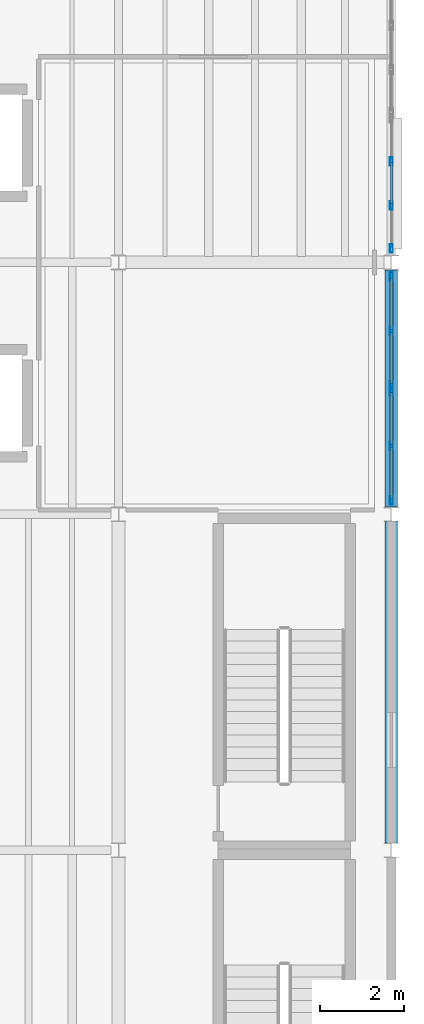
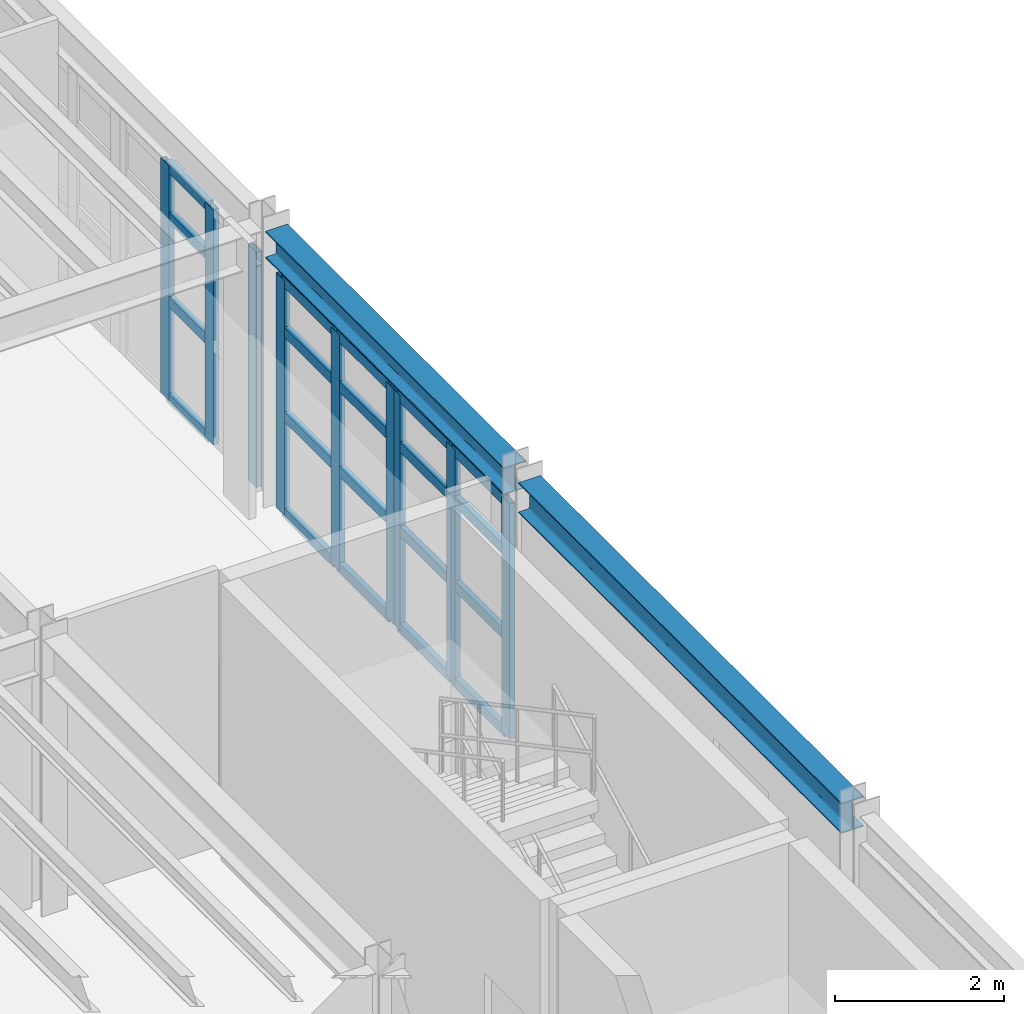
# One storey, part 36 of 77: 29 members, 2 beams, 3 elements without a shape of their own.
"""IFC4 building model written with IfcOpenShell, lengths in metres."""

from ifc_helpers import new_model, si_unit, direction, frame, origin, origin_2d, place, context, subcontext, project, spatial, hollow_rectangle, i_section, extrude, material, material_profile, profile_set, type_object, element, aggregate, save


model = new_model("IFC4")

# Units and contexts
model_context = context("Model", 3, precision=1e-05, world=origin(), true_north=direction((0.0, 1.0)))
body_context = subcontext(model_context, "Body", "Model", "MODEL_VIEW")
ifc_project = project(units=[si_unit("LENGTHUNIT", "METRE"), si_unit("AREAUNIT", "SQUARE_METRE"), si_unit("VOLUMEUNIT", "CUBIC_METRE"), si_unit("PLANEANGLEUNIT", "RADIAN"), si_unit("MASSUNIT", "GRAM", prefix="KILO"), si_unit("THERMODYNAMICTEMPERATUREUNIT", "KELVIN"), si_unit("POWERUNIT", "WATT")], contexts=[model_context])

# Site, building, storey
site_placement = place(None, origin())
site = spatial("IfcSite", under=ifc_project, at=site_placement, CompositionType="ELEMENT")
building_placement = place(site_placement, origin())
building = spatial("IfcBuilding", under=site, at=building_placement, Name="Zhenchuan Central Fire Station", CompositionType="ELEMENT")
storey_placement = place(building_placement, frame((0.0, 0.0, 10.050048828125)))
storey = spatial("IfcBuildingStorey", under=building, at=storey_placement, Name="L03", CompositionType="ELEMENT", Elevation=10.050048828125)

# Beams
ifc_material_1 = material(Name="Steel Q355B", Category="steel")
ifc_material_profile_1 = material_profile(ifc_material_1, i_section(OverallWidth=0.300048828125, OverallDepth=0.389892578125, WebThickness=0.010009765625, FlangeThickness=0.01611328125, FilletRadius=0.02001953125, at=origin_2d()), Name="HM 390x300")
ifc_profile_set_1 = profile_set([ifc_material_profile_1], Name="Steel Q355B")
beam_type_1 = type_object("IfcBeamType", Name="BM-HM390", PredefinedType="BEAM", material=ifc_profile_set_1)
beam_1_placement = place(storey_placement, frame((161.0, 22.675048828125, 3.804931640625), z_axis=(0.0, 1.0, 0.0), x_axis=(-1.0, 0.0, 0.0)))
element("IfcBeam", 1, at=beam_1_placement, inside=storey, type_object=beam_type_1, Name="L04 Girder NS 0426", PredefinedType="BEAM", context=body_context, shape_type="SweptSolid", body=[
    extrude(i_section(OverallWidth=0.300048828125, OverallDepth=0.389892578125, WebThickness=0.010009765625, FlangeThickness=0.01611328125, FilletRadius=0.02001953125, at=origin_2d()), origin(), (0.0, 0.0, 1.0), 5.64990234375),
])
ifc_material_profile_2 = material_profile(ifc_material_1, i_section(OverallWidth=0.300048828125, OverallDepth=0.43994140625, WebThickness=0.010986328125, FlangeThickness=0.01806640625, FilletRadius=0.02197265625, at=origin_2d()), Name="HM 440x300")
ifc_profile_set_2 = profile_set([ifc_material_profile_2], Name="Steel Q355B")
beam_type_2 = type_object("IfcBeamType", Name="BM-HM440", PredefinedType="BEAM", material=ifc_profile_set_2)
beam_2_placement = place(storey_placement, frame((161.0, 14.675048828125, 3.780029296875), z_axis=(0.0, 1.0, 0.0), x_axis=(-1.0, 0.0, 0.0)))
element("IfcBeam", 2, at=beam_2_placement, inside=storey, type_object=beam_type_2, Name="L04 Girder NS 0425", PredefinedType="BEAM", context=body_context, shape_type="SweptSolid", body=[
    extrude(i_section(OverallWidth=0.300048828125, OverallDepth=0.43994140625, WebThickness=0.010986328125, FlangeThickness=0.01806640625, FilletRadius=0.02197265625, at=origin_2d()), origin(), (0.0, 0.0, 1.0), 7.64990234375),
])

# Curtain wall, members
ifc_material_2 = material(Name="Anodised aluminium and low-E glazing", Category="aluminium")
curtain_wall_type_1 = type_object("IfcCurtainWallType", Name="CW-MOD-09", PredefinedType="USERDEFINED", material=ifc_material_2)
curtain_wall_1_placement = place(storey_placement, origin())
curtain_wall_1 = element("IfcCurtainWall", 3, at=curtain_wall_1_placement, inside=storey, type_object=curtain_wall_type_1, Name="L03 Unitised Curtain Wall 106", ObjectType="UNITISED GLAZING", PredefinedType="USERDEFINED")
ifc_material_3 = material(Name="Anodised aluminium EN AW-6063", Category="aluminium")
ifc_material_profile_3 = material_profile(ifc_material_3, hollow_rectangle(XDim=0.074951171875, YDim=0.199951171875, WallThickness=0.0048828125, at=origin_2d()), Name="ALU-M 200x75")
ifc_profile_set_3 = profile_set([ifc_material_profile_3], Name="Anodised aluminium EN AW-6063")
member_type_1 = type_object("IfcMemberType", Name="CW-MUL160", PredefinedType="MULLION", material=ifc_profile_set_3)
member_1_placement = place(storey_placement, frame((161.0, 22.83251953125, -0.004150390625), z_axis=(0.0, 0.0, 1.0), x_axis=(-1.0, 0.0, 0.0)))
member_1 = element("IfcMember", 4, at=member_1_placement, type_object=member_type_1, Name="CW-09 mullion 1", PredefinedType="MULLION", context=body_context, shape_type="SweptSolid", body=[
    extrude(hollow_rectangle(XDim=0.074951171875, YDim=0.199951171875, WallThickness=0.0048828125, at=origin_2d()), origin(), (0.0, 0.0, 1.0), 3.404052734375),
])
member_2_placement = place(storey_placement, frame((161.0, 24.131103515625, -0.004150390625), z_axis=(0.0, 0.0, 1.0), x_axis=(-1.0, 0.0, 0.0)))
member_2 = element("IfcMember", 5, at=member_2_placement, type_object=member_type_1, Name="CW-09 mullion 2", PredefinedType="MULLION", context=body_context, shape_type="SweptSolid", body=[
    extrude(hollow_rectangle(XDim=0.074951171875, YDim=0.199951171875, WallThickness=0.0048828125, at=origin_2d()), origin(), (0.0, 0.0, 1.0), 3.404052734375),
])
member_3_placement = place(storey_placement, frame((161.0, 25.429443359375, -0.004150390625), z_axis=(0.0, 0.0, 1.0), x_axis=(-1.0, 0.0, 0.0)))
member_3 = element("IfcMember", 6, at=member_3_placement, type_object=member_type_1, Name="CW-09 mullion 3", PredefinedType="MULLION", context=body_context, shape_type="SweptSolid", body=[
    extrude(hollow_rectangle(XDim=0.074951171875, YDim=0.199951171875, WallThickness=0.0048828125, at=origin_2d()), origin(), (0.0, 0.0, 1.0), 3.404052734375),
])

curtain_wall_type_2 = type_object("IfcCurtainWallType", Name="CW-MOD-10", PredefinedType="USERDEFINED", material=ifc_material_2)
curtain_wall_2_placement = place(storey_placement, origin())
curtain_wall_2 = element("IfcCurtainWall", 7, at=curtain_wall_2_placement, inside=storey, type_object=curtain_wall_type_2, Name="L03 Unitised Curtain Wall 107", ObjectType="UNITISED GLAZING", PredefinedType="USERDEFINED")
member_4_placement = place(storey_placement, frame((161.0, 25.570556640625, -0.004150390625), z_axis=(0.0, 0.0, 1.0), x_axis=(-1.0, 0.0, 0.0)))
member_4 = element("IfcMember", 8, at=member_4_placement, type_object=member_type_1, Name="CW-10 mullion 1", PredefinedType="MULLION", context=body_context, shape_type="SweptSolid", body=[
    extrude(hollow_rectangle(XDim=0.074951171875, YDim=0.199951171875, WallThickness=0.0048828125, at=origin_2d()), origin(), (0.0, 0.0, 1.0), 3.404052734375),
])
member_5_placement = place(storey_placement, frame((161.0, 26.868896484375, -0.004150390625), z_axis=(0.0, 0.0, 1.0), x_axis=(-1.0, 0.0, 0.0)))
member_5 = element("IfcMember", 9, at=member_5_placement, type_object=member_type_1, Name="CW-10 mullion 2", PredefinedType="MULLION", context=body_context, shape_type="SweptSolid", body=[
    extrude(hollow_rectangle(XDim=0.074951171875, YDim=0.199951171875, WallThickness=0.0048828125, at=origin_2d()), origin(), (0.0, 0.0, 1.0), 3.404052734375),
])
member_6_placement = place(storey_placement, frame((161.0, 28.16748046875, -0.004150390625), z_axis=(0.0, 0.0, 1.0), x_axis=(-1.0, 0.0, 0.0)))
member_6 = element("IfcMember", 10, at=member_6_placement, type_object=member_type_1, Name="CW-10 mullion 3", PredefinedType="MULLION", context=body_context, shape_type="SweptSolid", body=[
    extrude(hollow_rectangle(XDim=0.074951171875, YDim=0.199951171875, WallThickness=0.0048828125, at=origin_2d()), origin(), (0.0, 0.0, 1.0), 3.404052734375),
])

curtain_wall_type_3 = type_object("IfcCurtainWallType", Name="CW-MOD-11", PredefinedType="USERDEFINED", material=ifc_material_2)
curtain_wall_3_placement = place(storey_placement, origin())
curtain_wall_3 = element("IfcCurtainWall", 11, at=curtain_wall_3_placement, inside=storey, type_object=curtain_wall_type_3, Name="L03 Unitised Curtain Wall 108", ObjectType="UNITISED GLAZING", PredefinedType="USERDEFINED")
member_7_placement = place(storey_placement, frame((161.0, 28.83251953125, -0.004150390625), z_axis=(0.0, 0.0, 1.0), x_axis=(-1.0, 0.0, 0.0)))
member_7 = element("IfcMember", 12, at=member_7_placement, type_object=member_type_1, Name="CW-11 mullion 1", PredefinedType="MULLION", context=body_context, shape_type="SweptSolid", body=[
    extrude(hollow_rectangle(XDim=0.074951171875, YDim=0.199951171875, WallThickness=0.0048828125, at=origin_2d()), origin(), (0.0, 0.0, 1.0), 3.404052734375),
])
member_8_placement = place(storey_placement, frame((161.0, 29.85400390625, -0.004150390625), z_axis=(0.0, 0.0, 1.0), x_axis=(-1.0, 0.0, 0.0)))
member_8 = element("IfcMember", 13, at=member_8_placement, type_object=member_type_1, Name="CW-11 mullion 2", PredefinedType="MULLION", context=body_context, shape_type="SweptSolid", body=[
    extrude(hollow_rectangle(XDim=0.074951171875, YDim=0.199951171875, WallThickness=0.0048828125, at=origin_2d()), origin(), (0.0, 0.0, 1.0), 3.404052734375),
])
member_9_placement = place(storey_placement, frame((161.0, 30.907958984375, -0.004150390625), z_axis=(0.0, 0.0, 1.0), x_axis=(-1.0, 0.0, 0.0)))
member_9 = element("IfcMember", 14, at=member_9_placement, type_object=member_type_1, Name="CW-11 mullion 3", PredefinedType="MULLION", context=body_context, shape_type="SweptSolid", body=[
    extrude(hollow_rectangle(XDim=0.074951171875, YDim=0.199951171875, WallThickness=0.0048828125, at=origin_2d()), origin(), (0.0, 0.0, 1.0), 3.404052734375),
])

# Member
ifc_material_profile_4 = material_profile(ifc_material_3, hollow_rectangle(XDim=0.074951171875, YDim=0.14990234375, WallThickness=0.0048828125, at=origin_2d()), Name="ALU-T 150x75")
ifc_profile_set_4 = profile_set([ifc_material_profile_4], Name="Anodised aluminium EN AW-6063")
member_type_2 = type_object("IfcMemberType", Name="CW-TRN130", PredefinedType="NOTDEFINED", material=ifc_profile_set_4)
member_10_placement = place(storey_placement, frame((161.0, 22.864990234375, 0.028564453125), z_axis=(0.0, 1.0, 0.0), x_axis=(-1.0, 0.0, 0.0)))
member_10 = element("IfcMember", 15, at=member_10_placement, type_object=member_type_2, Name="CW-09 transom 1.1", ObjectType="TRANSOM", PredefinedType="USERDEFINED", context=body_context, shape_type="SweptSolid", body=[
    extrude(hollow_rectangle(XDim=0.074951171875, YDim=0.14990234375, WallThickness=0.0048828125, at=origin_2d()), origin(), (0.0, 0.0, 1.0), 1.2333984375),
])

member_11_placement = place(storey_placement, frame((161.0, 22.864990234375, 1.427978515625), z_axis=(0.0, 1.0, 0.0), x_axis=(-1.0, 0.0, 0.0)))
member_11 = element("IfcMember", 16, at=member_11_placement, type_object=member_type_2, Name="CW-09 transom 1.2", ObjectType="TRANSOM", PredefinedType="USERDEFINED", context=body_context, shape_type="SweptSolid", body=[
    extrude(hollow_rectangle(XDim=0.074951171875, YDim=0.14990234375, WallThickness=0.0048828125, at=origin_2d()), origin(), (0.0, 0.0, 1.0), 1.2333984375),
])

member_12_placement = place(storey_placement, frame((161.0, 22.864990234375, 2.65185546875), z_axis=(0.0, 1.0, 0.0), x_axis=(-1.0, 0.0, 0.0)))
member_12 = element("IfcMember", 17, at=member_12_placement, type_object=member_type_2, Name="CW-09 transom 1.3", ObjectType="TRANSOM", PredefinedType="USERDEFINED", context=body_context, shape_type="SweptSolid", body=[
    extrude(hollow_rectangle(XDim=0.074951171875, YDim=0.14990234375, WallThickness=0.0048828125, at=origin_2d()), origin(), (0.0, 0.0, 1.0), 1.2333984375),
])

member_13_placement = place(storey_placement, frame((161.0, 22.864990234375, 3.367431640625), z_axis=(0.0, 1.0, 0.0), x_axis=(-1.0, 0.0, 0.0)))
member_13 = element("IfcMember", 18, at=member_13_placement, type_object=member_type_2, Name="CW-09 transom 1.4", ObjectType="TRANSOM", PredefinedType="USERDEFINED", context=body_context, shape_type="SweptSolid", body=[
    extrude(hollow_rectangle(XDim=0.074951171875, YDim=0.14990234375, WallThickness=0.0048828125, at=origin_2d()), origin(), (0.0, 0.0, 1.0), 1.2333984375),
])

member_14_placement = place(storey_placement, frame((161.0, 24.16357421875, 0.028564453125), z_axis=(0.0, 1.0, 0.0), x_axis=(-1.0, 0.0, 0.0)))
member_14 = element("IfcMember", 19, at=member_14_placement, type_object=member_type_2, Name="CW-09 transom 2.1", ObjectType="TRANSOM", PredefinedType="USERDEFINED", context=body_context, shape_type="SweptSolid", body=[
    extrude(hollow_rectangle(XDim=0.074951171875, YDim=0.14990234375, WallThickness=0.0048828125, at=origin_2d()), origin(), (0.0, 0.0, 1.0), 1.2333984375),
])

member_15_placement = place(storey_placement, frame((161.0, 24.16357421875, 1.427978515625), z_axis=(0.0, 1.0, 0.0), x_axis=(-1.0, 0.0, 0.0)))
member_15 = element("IfcMember", 20, at=member_15_placement, type_object=member_type_2, Name="CW-09 transom 2.2", ObjectType="TRANSOM", PredefinedType="USERDEFINED", context=body_context, shape_type="SweptSolid", body=[
    extrude(hollow_rectangle(XDim=0.074951171875, YDim=0.14990234375, WallThickness=0.0048828125, at=origin_2d()), origin(), (0.0, 0.0, 1.0), 1.2333984375),
])

member_16_placement = place(storey_placement, frame((161.0, 24.16357421875, 2.65185546875), z_axis=(0.0, 1.0, 0.0), x_axis=(-1.0, 0.0, 0.0)))
member_16 = element("IfcMember", 21, at=member_16_placement, type_object=member_type_2, Name="CW-09 transom 2.3", ObjectType="TRANSOM", PredefinedType="USERDEFINED", context=body_context, shape_type="SweptSolid", body=[
    extrude(hollow_rectangle(XDim=0.074951171875, YDim=0.14990234375, WallThickness=0.0048828125, at=origin_2d()), origin(), (0.0, 0.0, 1.0), 1.2333984375),
])

member_17_placement = place(storey_placement, frame((161.0, 24.16357421875, 3.367431640625), z_axis=(0.0, 1.0, 0.0), x_axis=(-1.0, 0.0, 0.0)))
member_17 = element("IfcMember", 22, at=member_17_placement, type_object=member_type_2, Name="CW-09 transom 2.4", ObjectType="TRANSOM", PredefinedType="USERDEFINED", context=body_context, shape_type="SweptSolid", body=[
    extrude(hollow_rectangle(XDim=0.074951171875, YDim=0.14990234375, WallThickness=0.0048828125, at=origin_2d()), origin(), (0.0, 0.0, 1.0), 1.2333984375),
])

aggregate(curtain_wall_1, [member_1, member_2, member_3, member_10, member_11, member_12, member_13, member_14, member_15, member_16, member_17])

member_18_placement = place(storey_placement, frame((161.0, 25.60302734375, 0.028564453125), z_axis=(0.0, 1.0, 0.0), x_axis=(-1.0, 0.0, 0.0)))
member_18 = element("IfcMember", 23, at=member_18_placement, type_object=member_type_2, Name="CW-10 transom 1.1", ObjectType="TRANSOM", PredefinedType="USERDEFINED", context=body_context, shape_type="SweptSolid", body=[
    extrude(hollow_rectangle(XDim=0.074951171875, YDim=0.14990234375, WallThickness=0.0048828125, at=origin_2d()), origin(), (0.0, 0.0, 1.0), 1.2333984375),
])

member_19_placement = place(storey_placement, frame((161.0, 25.60302734375, 1.427978515625), z_axis=(0.0, 1.0, 0.0), x_axis=(-1.0, 0.0, 0.0)))
member_19 = element("IfcMember", 24, at=member_19_placement, type_object=member_type_2, Name="CW-10 transom 1.2", ObjectType="TRANSOM", PredefinedType="USERDEFINED", context=body_context, shape_type="SweptSolid", body=[
    extrude(hollow_rectangle(XDim=0.074951171875, YDim=0.14990234375, WallThickness=0.0048828125, at=origin_2d()), origin(), (0.0, 0.0, 1.0), 1.2333984375),
])

member_20_placement = place(storey_placement, frame((161.0, 25.60302734375, 2.65185546875), z_axis=(0.0, 1.0, 0.0), x_axis=(-1.0, 0.0, 0.0)))
member_20 = element("IfcMember", 25, at=member_20_placement, type_object=member_type_2, Name="CW-10 transom 1.3", ObjectType="TRANSOM", PredefinedType="USERDEFINED", context=body_context, shape_type="SweptSolid", body=[
    extrude(hollow_rectangle(XDim=0.074951171875, YDim=0.14990234375, WallThickness=0.0048828125, at=origin_2d()), origin(), (0.0, 0.0, 1.0), 1.2333984375),
])

member_21_placement = place(storey_placement, frame((161.0, 25.60302734375, 3.367431640625), z_axis=(0.0, 1.0, 0.0), x_axis=(-1.0, 0.0, 0.0)))
member_21 = element("IfcMember", 26, at=member_21_placement, type_object=member_type_2, Name="CW-10 transom 1.4", ObjectType="TRANSOM", PredefinedType="USERDEFINED", context=body_context, shape_type="SweptSolid", body=[
    extrude(hollow_rectangle(XDim=0.074951171875, YDim=0.14990234375, WallThickness=0.0048828125, at=origin_2d()), origin(), (0.0, 0.0, 1.0), 1.2333984375),
])

member_22_placement = place(storey_placement, frame((161.0, 26.901611328125, 0.028564453125), z_axis=(0.0, 1.0, 0.0), x_axis=(-1.0, 0.0, 0.0)))
member_22 = element("IfcMember", 27, at=member_22_placement, type_object=member_type_2, Name="CW-10 transom 2.1", ObjectType="TRANSOM", PredefinedType="USERDEFINED", context=body_context, shape_type="SweptSolid", body=[
    extrude(hollow_rectangle(XDim=0.074951171875, YDim=0.14990234375, WallThickness=0.0048828125, at=origin_2d()), origin(), (0.0, 0.0, 1.0), 1.2333984375),
])

member_23_placement = place(storey_placement, frame((161.0, 26.901611328125, 1.427978515625), z_axis=(0.0, 1.0, 0.0), x_axis=(-1.0, 0.0, 0.0)))
member_23 = element("IfcMember", 28, at=member_23_placement, type_object=member_type_2, Name="CW-10 transom 2.2", ObjectType="TRANSOM", PredefinedType="USERDEFINED", context=body_context, shape_type="SweptSolid", body=[
    extrude(hollow_rectangle(XDim=0.074951171875, YDim=0.14990234375, WallThickness=0.0048828125, at=origin_2d()), origin(), (0.0, 0.0, 1.0), 1.2333984375),
])

member_24_placement = place(storey_placement, frame((161.0, 26.901611328125, 2.65185546875), z_axis=(0.0, 1.0, 0.0), x_axis=(-1.0, 0.0, 0.0)))
member_24 = element("IfcMember", 29, at=member_24_placement, type_object=member_type_2, Name="CW-10 transom 2.3", ObjectType="TRANSOM", PredefinedType="USERDEFINED", context=body_context, shape_type="SweptSolid", body=[
    extrude(hollow_rectangle(XDim=0.074951171875, YDim=0.14990234375, WallThickness=0.0048828125, at=origin_2d()), origin(), (0.0, 0.0, 1.0), 1.2333984375),
])

member_25_placement = place(storey_placement, frame((161.0, 26.901611328125, 3.367431640625), z_axis=(0.0, 1.0, 0.0), x_axis=(-1.0, 0.0, 0.0)))
member_25 = element("IfcMember", 30, at=member_25_placement, type_object=member_type_2, Name="CW-10 transom 2.4", ObjectType="TRANSOM", PredefinedType="USERDEFINED", context=body_context, shape_type="SweptSolid", body=[
    extrude(hollow_rectangle(XDim=0.074951171875, YDim=0.14990234375, WallThickness=0.0048828125, at=origin_2d()), origin(), (0.0, 0.0, 1.0), 1.2333984375),
])

aggregate(curtain_wall_2, [member_4, member_5, member_6, member_18, member_19, member_20, member_21, member_22, member_23, member_24, member_25])

member_26_placement = place(storey_placement, frame((161.0, 29.886474609375, 0.028564453125), z_axis=(0.0, 1.0, 0.0), x_axis=(-1.0, 0.0, 0.0)))
member_26 = element("IfcMember", 31, at=member_26_placement, type_object=member_type_2, Name="CW-11 transom 2.1", ObjectType="TRANSOM", PredefinedType="USERDEFINED", context=body_context, shape_type="SweptSolid", body=[
    extrude(hollow_rectangle(XDim=0.074951171875, YDim=0.14990234375, WallThickness=0.0048828125, at=origin_2d()), origin(), (0.0, 0.0, 1.0), 0.989013671875),
])

member_27_placement = place(storey_placement, frame((161.0, 29.886474609375, 1.427978515625), z_axis=(0.0, 1.0, 0.0), x_axis=(-1.0, 0.0, 0.0)))
member_27 = element("IfcMember", 32, at=member_27_placement, type_object=member_type_2, Name="CW-11 transom 2.2", ObjectType="TRANSOM", PredefinedType="USERDEFINED", context=body_context, shape_type="SweptSolid", body=[
    extrude(hollow_rectangle(XDim=0.074951171875, YDim=0.14990234375, WallThickness=0.0048828125, at=origin_2d()), origin(), (0.0, 0.0, 1.0), 0.989013671875),
])

member_28_placement = place(storey_placement, frame((161.0, 29.886474609375, 2.65185546875), z_axis=(0.0, 1.0, 0.0), x_axis=(-1.0, 0.0, 0.0)))
member_28 = element("IfcMember", 33, at=member_28_placement, type_object=member_type_2, Name="CW-11 transom 2.3", ObjectType="TRANSOM", PredefinedType="USERDEFINED", context=body_context, shape_type="SweptSolid", body=[
    extrude(hollow_rectangle(XDim=0.074951171875, YDim=0.14990234375, WallThickness=0.0048828125, at=origin_2d()), origin(), (0.0, 0.0, 1.0), 0.989013671875),
])

member_29_placement = place(storey_placement, frame((161.0, 29.886474609375, 3.367431640625), z_axis=(0.0, 1.0, 0.0), x_axis=(-1.0, 0.0, 0.0)))
member_29 = element("IfcMember", 34, at=member_29_placement, type_object=member_type_2, Name="CW-11 transom 2.4", ObjectType="TRANSOM", PredefinedType="USERDEFINED", context=body_context, shape_type="SweptSolid", body=[
    extrude(hollow_rectangle(XDim=0.074951171875, YDim=0.14990234375, WallThickness=0.0048828125, at=origin_2d()), origin(), (0.0, 0.0, 1.0), 0.989013671875),
])

aggregate(curtain_wall_3, [member_7, member_8, member_9, member_26, member_27, member_28, member_29])

save(model, "model.ifc")
